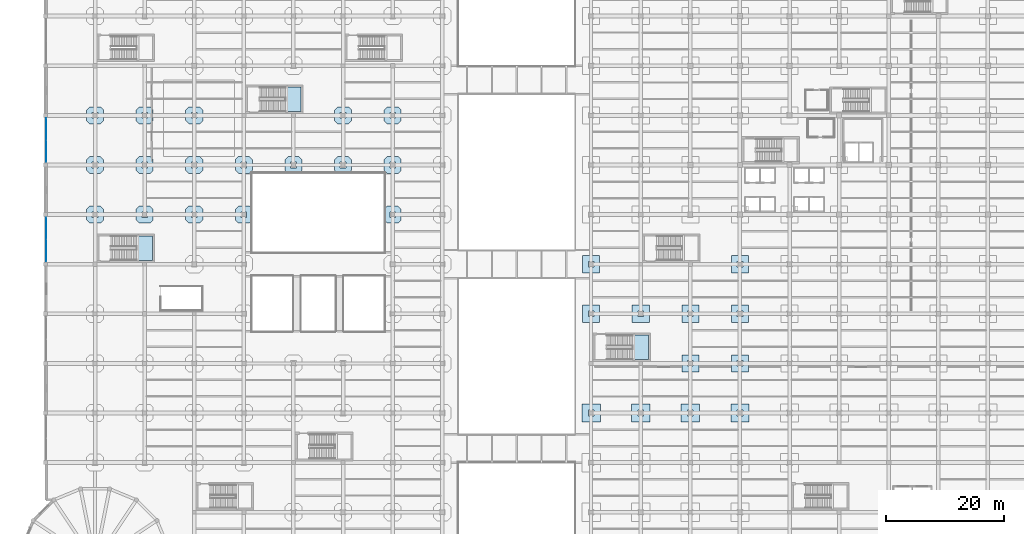
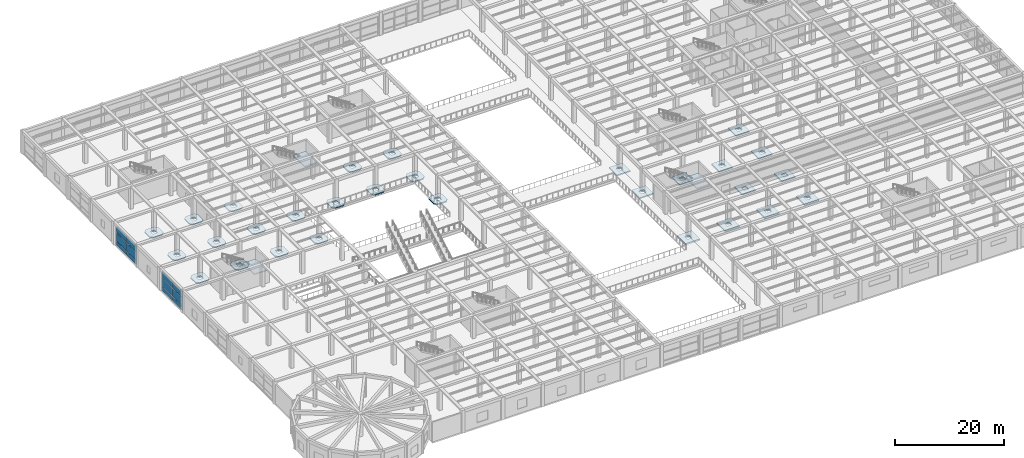
# One storey, part 42 of 65: 32 slabs, 12 plates, 5 elements without a shape of their own.
"""IFC4 building model written with IfcOpenShell, lengths in metres."""

from ifc_helpers import new_model, si_unit, direction, frame, origin, origin_2d, place, context, subcontext, project, spatial, polyline, rectangle, outline, extrude, material, layer, layer_set, type_object, element, aggregate, save


model = new_model("IFC4")

# Units and contexts
model_context = context("Model", 3, precision=1e-05, world=origin(), true_north=direction((0.0, 1.0)))
body_context = subcontext(model_context, "Body", "Model", "MODEL_VIEW")
ifc_project = project(units=[si_unit("LENGTHUNIT", "METRE"), si_unit("AREAUNIT", "SQUARE_METRE"), si_unit("VOLUMEUNIT", "CUBIC_METRE"), si_unit("PLANEANGLEUNIT", "RADIAN"), si_unit("MASSUNIT", "GRAM", prefix="KILO")], contexts=[model_context])

# Site, building, storey
site_placement = place(None, origin())
site = spatial("IfcSite", under=ifc_project, at=site_placement, CompositionType="ELEMENT")
building_placement = place(site_placement, origin())
building = spatial("IfcBuilding", under=site, at=building_placement, Name="Almacenes y Pasaje Nevantli", CompositionType="ELEMENT")
storey_placement = place(building_placement, frame((0.0, 0.0, 16.800048828125)))
storey = spatial("IfcBuildingStorey", under=building, at=storey_placement, Name="L04", CompositionType="ELEMENT", Elevation=16.800048828125)

# Curtain wall, plates
ifc_material_1 = material(Name="Thermally Broken Aluminium and Low-E Glass", Category="aluminium")
curtain_wall_type = type_object("IfcCurtainWallType", Name="CW-UNIT-PODIUM", PredefinedType="USERDEFINED", material=ifc_material_1)
curtain_wall_1_placement = place(storey_placement, origin())
curtain_wall_1 = element("IfcCurtainWall", 1, at=curtain_wall_1_placement, inside=storey, type_object=curtain_wall_type, Name="L04 West Avenue Unitized Curtain Wall Bay 8", ObjectType="UNITIZED CURTAIN WALL", PredefinedType="USERDEFINED")
ifc_material_2 = material(Name="Low-E Double Glazed Insulated Unit", Category="glass")
ifc_layer_1 = layer(ifc_material_2, 0.031982421875)
ifc_layer_set_1 = layer_set([ifc_layer_1], Name="Low-E Double Glazed Insulated Unit")
plate_type = type_object("IfcPlateType", Name="PL-IGU-32", PredefinedType="CURTAIN_PANEL", material=ifc_layer_set_1)
plate_1_placement = place(storey_placement, frame((0.14990234375, 61.138671875, 0.05517578125), z_axis=(0.0, 0.0, 1.0), x_axis=(0.0, 1.0, 0.0)))
plate_1 = element("IfcPlate", 2, at=plate_1_placement, type_object=plate_type, Name="CW-L04-075 panel 1.1", PredefinedType="CURTAIN_PANEL", context=body_context, shape_type="SweptSolid", body=[
    extrude(rectangle(XDim=3.66748046875, YDim=0.031982421875, at=origin_2d()), origin(), (0.0, 0.0, 1.0), 0.867431640625),
])
plate_2_placement = place(storey_placement, frame((0.14990234375, 61.138671875, 0.9775390625), z_axis=(0.0, 0.0, 1.0), x_axis=(0.0, 1.0, 0.0)))
plate_2 = element("IfcPlate", 3, at=plate_2_placement, type_object=plate_type, Name="CW-L04-075 panel 1.2", PredefinedType="CURTAIN_PANEL", context=body_context, shape_type="SweptSolid", body=[
    extrude(rectangle(XDim=3.66748046875, YDim=0.031982421875, at=origin_2d()), origin(), (0.0, 0.0, 1.0), 1.844970703125),
])
plate_3_placement = place(storey_placement, frame((0.14990234375, 61.138671875, 2.87744140625), z_axis=(0.0, 0.0, 1.0), x_axis=(0.0, 1.0, 0.0)))
plate_3 = element("IfcPlate", 4, at=plate_3_placement, type_object=plate_type, Name="CW-L04-075 panel 1.3", PredefinedType="CURTAIN_PANEL", context=body_context, shape_type="SweptSolid", body=[
    extrude(rectangle(XDim=3.66748046875, YDim=0.031982421875, at=origin_2d()), origin(), (0.0, 0.0, 1.0), 1.447509765625),
])
plate_4_placement = place(storey_placement, frame((0.14990234375, 64.861328125, 0.05517578125), z_axis=(0.0, 0.0, 1.0), x_axis=(0.0, 1.0, 0.0)))
plate_4 = element("IfcPlate", 5, at=plate_4_placement, type_object=plate_type, Name="CW-L04-075 panel 2.1", PredefinedType="CURTAIN_PANEL", context=body_context, shape_type="SweptSolid", body=[
    extrude(rectangle(XDim=3.66748046875, YDim=0.031982421875, at=origin_2d()), origin(), (0.0, 0.0, 1.0), 0.867431640625),
])
plate_5_placement = place(storey_placement, frame((0.14990234375, 64.861328125, 0.9775390625), z_axis=(0.0, 0.0, 1.0), x_axis=(0.0, 1.0, 0.0)))
plate_5 = element("IfcPlate", 6, at=plate_5_placement, type_object=plate_type, Name="CW-L04-075 panel 2.2", PredefinedType="CURTAIN_PANEL", context=body_context, shape_type="SweptSolid", body=[
    extrude(rectangle(XDim=3.66748046875, YDim=0.031982421875, at=origin_2d()), origin(), (0.0, 0.0, 1.0), 1.844970703125),
])
plate_6_placement = place(storey_placement, frame((0.14990234375, 64.861328125, 2.87744140625), z_axis=(0.0, 0.0, 1.0), x_axis=(0.0, 1.0, 0.0)))
plate_6 = element("IfcPlate", 7, at=plate_6_placement, type_object=plate_type, Name="CW-L04-075 panel 2.3", PredefinedType="CURTAIN_PANEL", context=body_context, shape_type="SweptSolid", body=[
    extrude(rectangle(XDim=3.66748046875, YDim=0.031982421875, at=origin_2d()), origin(), (0.0, 0.0, 1.0), 1.447509765625),
])
aggregate(curtain_wall_1, [plate_1, plate_2, plate_3, plate_4, plate_5, plate_6])

curtain_wall_2_placement = place(storey_placement, origin())
curtain_wall_2 = element("IfcCurtainWall", 8, at=curtain_wall_2_placement, inside=storey, type_object=curtain_wall_type, Name="L04 West Avenue Unitized Curtain Wall Bay 10", ObjectType="UNITIZED CURTAIN WALL", PredefinedType="USERDEFINED")
plate_7_placement = place(storey_placement, frame((0.14990234375, 77.938720703125, 0.05517578125), z_axis=(0.0, 0.0, 1.0), x_axis=(0.0, 1.0, 0.0)))
plate_7 = element("IfcPlate", 9, at=plate_7_placement, type_object=plate_type, Name="CW-L04-076 panel 1.1", PredefinedType="CURTAIN_PANEL", context=body_context, shape_type="SweptSolid", body=[
    extrude(rectangle(XDim=3.66748046875, YDim=0.031982421875, at=origin_2d()), origin(), (0.0, 0.0, 1.0), 0.867431640625),
])
plate_8_placement = place(storey_placement, frame((0.14990234375, 77.938720703125, 0.9775390625), z_axis=(0.0, 0.0, 1.0), x_axis=(0.0, 1.0, 0.0)))
plate_8 = element("IfcPlate", 10, at=plate_8_placement, type_object=plate_type, Name="CW-L04-076 panel 1.2", PredefinedType="CURTAIN_PANEL", context=body_context, shape_type="SweptSolid", body=[
    extrude(rectangle(XDim=3.66748046875, YDim=0.031982421875, at=origin_2d()), origin(), (0.0, 0.0, 1.0), 1.844970703125),
])
plate_9_placement = place(storey_placement, frame((0.14990234375, 77.938720703125, 2.87744140625), z_axis=(0.0, 0.0, 1.0), x_axis=(0.0, 1.0, 0.0)))
plate_9 = element("IfcPlate", 11, at=plate_9_placement, type_object=plate_type, Name="CW-L04-076 panel 1.3", PredefinedType="CURTAIN_PANEL", context=body_context, shape_type="SweptSolid", body=[
    extrude(rectangle(XDim=3.66748046875, YDim=0.031982421875, at=origin_2d()), origin(), (0.0, 0.0, 1.0), 1.447509765625),
])
plate_10_placement = place(storey_placement, frame((0.14990234375, 81.6611328125, 0.05517578125), z_axis=(0.0, 0.0, 1.0), x_axis=(0.0, 1.0, 0.0)))
plate_10 = element("IfcPlate", 12, at=plate_10_placement, type_object=plate_type, Name="CW-L04-076 panel 2.1", PredefinedType="CURTAIN_PANEL", context=body_context, shape_type="SweptSolid", body=[
    extrude(rectangle(XDim=3.66748046875, YDim=0.031982421875, at=origin_2d()), origin(), (0.0, 0.0, 1.0), 0.867431640625),
])
plate_11_placement = place(storey_placement, frame((0.14990234375, 81.6611328125, 0.9775390625), z_axis=(0.0, 0.0, 1.0), x_axis=(0.0, 1.0, 0.0)))
plate_11 = element("IfcPlate", 13, at=plate_11_placement, type_object=plate_type, Name="CW-L04-076 panel 2.2", PredefinedType="CURTAIN_PANEL", context=body_context, shape_type="SweptSolid", body=[
    extrude(rectangle(XDim=3.66748046875, YDim=0.031982421875, at=origin_2d()), origin(), (0.0, 0.0, 1.0), 1.844970703125),
])
plate_12_placement = place(storey_placement, frame((0.14990234375, 81.6611328125, 2.87744140625), z_axis=(0.0, 0.0, 1.0), x_axis=(0.0, 1.0, 0.0)))
plate_12 = element("IfcPlate", 14, at=plate_12_placement, type_object=plate_type, Name="CW-L04-076 panel 2.3", PredefinedType="CURTAIN_PANEL", context=body_context, shape_type="SweptSolid", body=[
    extrude(rectangle(XDim=3.66748046875, YDim=0.031982421875, at=origin_2d()), origin(), (0.0, 0.0, 1.0), 1.447509765625),
])
aggregate(curtain_wall_2, [plate_7, plate_8, plate_9, plate_10, plate_11, plate_12])

# Slabs
ifc_material_3 = material(Name="Concrete C35/45", Category="concrete")
ifc_layer_2 = layer(ifc_material_3, 0.25)
ifc_layer_set_2 = layer_set([ifc_layer_2], Name="Concrete C35/45")
slab_type_1 = type_object("IfcSlabType", Name="SLB-DP-250", PredefinedType="USERDEFINED", material=ifc_layer_set_2)
slab_1_placement = place(storey_placement, frame((0.0, 0.0, -0.550048828125)))
element("IfcSlab", 15, at=slab_1_placement, inside=storey, type_object=slab_type_1, Name="L04 Punching-Shear Drop Panel DP-02 #754", ObjectType="DROP PANEL", PredefinedType="USERDEFINED", context=body_context, shape_type="SweptSolid", body=[
    extrude(outline(polyline([(7.5, 65.75), (9.300048828125, 65.75), (9.85009765625, 66.300048828125), (9.85009765625, 68.10009765625), (9.300048828125, 68.64990234375), (7.5, 68.64990234375), (6.949951171875, 68.10009765625), (6.949951171875, 66.300048828125), (7.5, 65.75)]), holes=[polyline([(7.919921875, 66.719970703125), (8.8798828125, 66.719970703125), (8.8798828125, 67.679931640625), (7.919921875, 67.679931640625), (7.919921875, 66.719970703125)])]), origin(), (0.0, 0.0, 1.0), 0.25),
])
slab_2_placement = place(storey_placement, frame((0.0, 0.0, -0.550048828125)))
element("IfcSlab", 16, at=slab_2_placement, inside=storey, type_object=slab_type_1, Name="L04 Punching-Shear Drop Panel DP-02 #755", ObjectType="DROP PANEL", PredefinedType="USERDEFINED", context=body_context, shape_type="SweptSolid", body=[
    extrude(outline(polyline([(7.5, 74.14990234375), (9.300048828125, 74.14990234375), (9.85009765625, 74.699951171875), (9.85009765625, 76.5), (9.300048828125, 77.050048828125), (7.5, 77.050048828125), (6.949951171875, 76.5), (6.949951171875, 74.699951171875), (7.5, 74.14990234375)]), holes=[polyline([(7.919921875, 75.1201171875), (8.8798828125, 75.1201171875), (8.8798828125, 76.080078125), (7.919921875, 76.080078125), (7.919921875, 75.1201171875)])]), origin(), (0.0, 0.0, 1.0), 0.25),
])
slab_3_placement = place(storey_placement, frame((0.0, 0.0, -0.550048828125)))
element("IfcSlab", 17, at=slab_3_placement, inside=storey, type_object=slab_type_1, Name="L04 Punching-Shear Drop Panel DP-02 #756", ObjectType="DROP PANEL", PredefinedType="USERDEFINED", context=body_context, shape_type="SweptSolid", body=[
    extrude(outline(polyline([(7.5, 82.550048828125), (9.300048828125, 82.550048828125), (9.85009765625, 83.10009765625), (9.85009765625, 84.89990234375), (9.300048828125, 85.449951171875), (7.5, 85.449951171875), (6.949951171875, 84.89990234375), (6.949951171875, 83.10009765625), (7.5, 82.550048828125)]), holes=[polyline([(7.919921875, 83.52001953125), (8.8798828125, 83.52001953125), (8.8798828125, 84.47998046875), (7.919921875, 84.47998046875), (7.919921875, 83.52001953125)])]), origin(), (0.0, 0.0, 1.0), 0.25),
])
slab_4_placement = place(storey_placement, frame((0.0, 0.0, -0.550048828125)))
element("IfcSlab", 18, at=slab_4_placement, inside=storey, type_object=slab_type_1, Name="L04 Punching-Shear Drop Panel DP-02 #762", ObjectType="DROP PANEL", PredefinedType="USERDEFINED", context=body_context, shape_type="SweptSolid", body=[
    extrude(outline(polyline([(15.89990234375, 65.75), (17.699951171875, 65.75), (18.25, 66.300048828125), (18.25, 68.10009765625), (17.699951171875, 68.64990234375), (15.89990234375, 68.64990234375), (15.35009765625, 68.10009765625), (15.35009765625, 66.300048828125), (15.89990234375, 65.75)]), holes=[polyline([(16.320068359375, 66.719970703125), (17.280029296875, 66.719970703125), (17.280029296875, 67.679931640625), (16.320068359375, 67.679931640625), (16.320068359375, 66.719970703125)])]), origin(), (0.0, 0.0, 1.0), 0.25),
])
slab_5_placement = place(storey_placement, frame((0.0, 0.0, -0.550048828125)))
element("IfcSlab", 19, at=slab_5_placement, inside=storey, type_object=slab_type_1, Name="L04 Punching-Shear Drop Panel DP-02 #763", ObjectType="DROP PANEL", PredefinedType="USERDEFINED", context=body_context, shape_type="SweptSolid", body=[
    extrude(outline(polyline([(15.89990234375, 74.14990234375), (17.699951171875, 74.14990234375), (18.25, 74.699951171875), (18.25, 76.5), (17.699951171875, 77.050048828125), (15.89990234375, 77.050048828125), (15.35009765625, 76.5), (15.35009765625, 74.699951171875), (15.89990234375, 74.14990234375)]), holes=[polyline([(16.320068359375, 75.1201171875), (17.280029296875, 75.1201171875), (17.280029296875, 76.080078125), (16.320068359375, 76.080078125), (16.320068359375, 75.1201171875)])]), origin(), (0.0, 0.0, 1.0), 0.25),
])
slab_6_placement = place(storey_placement, frame((0.0, 0.0, -0.550048828125)))
element("IfcSlab", 20, at=slab_6_placement, inside=storey, type_object=slab_type_1, Name="L04 Punching-Shear Drop Panel DP-02 #764", ObjectType="DROP PANEL", PredefinedType="USERDEFINED", context=body_context, shape_type="SweptSolid", body=[
    extrude(outline(polyline([(15.89990234375, 82.550048828125), (17.699951171875, 82.550048828125), (18.25, 83.10009765625), (18.25, 84.89990234375), (17.699951171875, 85.449951171875), (15.89990234375, 85.449951171875), (15.35009765625, 84.89990234375), (15.35009765625, 83.10009765625), (15.89990234375, 82.550048828125)]), holes=[polyline([(16.320068359375, 83.52001953125), (17.280029296875, 83.52001953125), (17.280029296875, 84.47998046875), (16.320068359375, 84.47998046875), (16.320068359375, 83.52001953125)])]), origin(), (0.0, 0.0, 1.0), 0.25),
])
slab_7_placement = place(storey_placement, frame((0.0, 0.0, -0.550048828125)))
element("IfcSlab", 21, at=slab_7_placement, inside=storey, type_object=slab_type_1, Name="L04 Punching-Shear Drop Panel DP-02 #772", ObjectType="DROP PANEL", PredefinedType="USERDEFINED", context=body_context, shape_type="SweptSolid", body=[
    extrude(outline(polyline([(24.300048828125, 65.75), (26.10009765625, 65.75), (26.64990234375, 66.300048828125), (26.64990234375, 68.10009765625), (26.10009765625, 68.64990234375), (24.300048828125, 68.64990234375), (23.75, 68.10009765625), (23.75, 66.300048828125), (24.300048828125, 65.75)]), holes=[polyline([(24.719970703125, 66.719970703125), (25.679931640625, 66.719970703125), (25.679931640625, 67.679931640625), (24.719970703125, 67.679931640625), (24.719970703125, 66.719970703125)])]), origin(), (0.0, 0.0, 1.0), 0.25),
])
slab_8_placement = place(storey_placement, frame((0.0, 0.0, -0.550048828125)))
element("IfcSlab", 22, at=slab_8_placement, inside=storey, type_object=slab_type_1, Name="L04 Punching-Shear Drop Panel DP-02 #773", ObjectType="DROP PANEL", PredefinedType="USERDEFINED", context=body_context, shape_type="SweptSolid", body=[
    extrude(outline(polyline([(24.300048828125, 74.14990234375), (26.10009765625, 74.14990234375), (26.64990234375, 74.699951171875), (26.64990234375, 76.5), (26.10009765625, 77.050048828125), (24.300048828125, 77.050048828125), (23.75, 76.5), (23.75, 74.699951171875), (24.300048828125, 74.14990234375)]), holes=[polyline([(24.719970703125, 75.1201171875), (25.679931640625, 75.1201171875), (25.679931640625, 76.080078125), (24.719970703125, 76.080078125), (24.719970703125, 75.1201171875)])]), origin(), (0.0, 0.0, 1.0), 0.25),
])
slab_9_placement = place(storey_placement, frame((0.0, 0.0, -0.550048828125)))
element("IfcSlab", 23, at=slab_9_placement, inside=storey, type_object=slab_type_1, Name="L04 Punching-Shear Drop Panel DP-02 #774", ObjectType="DROP PANEL", PredefinedType="USERDEFINED", context=body_context, shape_type="SweptSolid", body=[
    extrude(outline(polyline([(24.300048828125, 82.550048828125), (26.10009765625, 82.550048828125), (26.64990234375, 83.10009765625), (26.64990234375, 84.89990234375), (26.10009765625, 85.449951171875), (24.300048828125, 85.449951171875), (23.75, 84.89990234375), (23.75, 83.10009765625), (24.300048828125, 82.550048828125)]), holes=[polyline([(24.719970703125, 83.52001953125), (25.679931640625, 83.52001953125), (25.679931640625, 84.47998046875), (24.719970703125, 84.47998046875), (24.719970703125, 83.52001953125)])]), origin(), (0.0, 0.0, 1.0), 0.25),
])
slab_10_placement = place(storey_placement, frame((0.0, 0.0, -0.550048828125)))
element("IfcSlab", 24, at=slab_10_placement, inside=storey, type_object=slab_type_1, Name="L04 Punching-Shear Drop Panel DP-02 #784", ObjectType="DROP PANEL", PredefinedType="USERDEFINED", context=body_context, shape_type="SweptSolid", body=[
    extrude(outline(polyline([(32.699951171875, 65.75), (34.5, 65.75), (35.050048828125, 66.300048828125), (35.050048828125, 68.10009765625), (34.5, 68.64990234375), (32.699951171875, 68.64990234375), (32.14990234375, 68.10009765625), (32.14990234375, 66.300048828125), (32.699951171875, 65.75)]), holes=[polyline([(33.1201171875, 66.719970703125), (34.080078125, 66.719970703125), (34.080078125, 67.679931640625), (33.1201171875, 67.679931640625), (33.1201171875, 66.719970703125)])]), origin(), (0.0, 0.0, 1.0), 0.25),
])
slab_11_placement = place(storey_placement, frame((0.0, 0.0, -0.550048828125)))
element("IfcSlab", 25, at=slab_11_placement, inside=storey, type_object=slab_type_1, Name="L04 Punching-Shear Drop Panel DP-02 #785", ObjectType="DROP PANEL", PredefinedType="USERDEFINED", context=body_context, shape_type="SweptSolid", body=[
    extrude(outline(polyline([(32.699951171875, 74.14990234375), (34.5, 74.14990234375), (35.050048828125, 74.699951171875), (35.050048828125, 76.5), (34.5, 77.050048828125), (32.699951171875, 77.050048828125), (32.14990234375, 76.5), (32.14990234375, 74.699951171875), (32.699951171875, 74.14990234375)]), holes=[polyline([(33.1201171875, 75.1201171875), (34.080078125, 75.1201171875), (34.080078125, 76.080078125), (33.1201171875, 76.080078125), (33.1201171875, 75.1201171875)])]), origin(), (0.0, 0.0, 1.0), 0.25),
])
slab_12_placement = place(storey_placement, frame((0.0, 0.0, -0.550048828125)))
element("IfcSlab", 26, at=slab_12_placement, inside=storey, type_object=slab_type_1, Name="L04 Punching-Shear Drop Panel DP-02 #793", ObjectType="DROP PANEL", PredefinedType="USERDEFINED", context=body_context, shape_type="SweptSolid", body=[
    extrude(outline(polyline([(41.10009765625, 74.14990234375), (42.89990234375, 74.14990234375), (43.449951171875, 74.699951171875), (43.449951171875, 76.5), (42.89990234375, 77.050048828125), (41.10009765625, 77.050048828125), (40.550048828125, 76.5), (40.550048828125, 74.699951171875), (41.10009765625, 74.14990234375)]), holes=[polyline([(41.52001953125, 75.1201171875), (42.47998046875, 75.1201171875), (42.47998046875, 76.080078125), (41.52001953125, 76.080078125), (41.52001953125, 75.1201171875)])]), origin(), (0.0, 0.0, 1.0), 0.25),
])
slab_13_placement = place(storey_placement, frame((0.0, 0.0, -0.550048828125)))
element("IfcSlab", 27, at=slab_13_placement, inside=storey, type_object=slab_type_1, Name="L04 Punching-Shear Drop Panel DP-02 #801", ObjectType="DROP PANEL", PredefinedType="USERDEFINED", context=body_context, shape_type="SweptSolid", body=[
    extrude(outline(polyline([(49.5, 74.14990234375), (51.300048828125, 74.14990234375), (51.85009765625, 74.699951171875), (51.85009765625, 76.5), (51.300048828125, 77.050048828125), (49.5, 77.050048828125), (48.949951171875, 76.5), (48.949951171875, 74.699951171875), (49.5, 74.14990234375)]), holes=[polyline([(49.919921875, 75.1201171875), (50.8798828125, 75.1201171875), (50.8798828125, 76.080078125), (49.919921875, 76.080078125), (49.919921875, 75.1201171875)])]), origin(), (0.0, 0.0, 1.0), 0.25),
])
slab_14_placement = place(storey_placement, frame((0.0, 0.0, -0.550048828125)))
element("IfcSlab", 28, at=slab_14_placement, inside=storey, type_object=slab_type_1, Name="L04 Punching-Shear Drop Panel DP-02 #802", ObjectType="DROP PANEL", PredefinedType="USERDEFINED", context=body_context, shape_type="SweptSolid", body=[
    extrude(outline(polyline([(49.5, 82.550048828125), (51.300048828125, 82.550048828125), (51.85009765625, 83.10009765625), (51.85009765625, 84.89990234375), (51.300048828125, 85.449951171875), (49.5, 85.449951171875), (48.949951171875, 84.89990234375), (48.949951171875, 83.10009765625), (49.5, 82.550048828125)]), holes=[polyline([(49.919921875, 83.52001953125), (50.8798828125, 83.52001953125), (50.8798828125, 84.47998046875), (49.919921875, 84.47998046875), (49.919921875, 83.52001953125)])]), origin(), (0.0, 0.0, 1.0), 0.25),
])
slab_15_placement = place(storey_placement, frame((0.0, 0.0, -0.550048828125)))
element("IfcSlab", 29, at=slab_15_placement, inside=storey, type_object=slab_type_1, Name="L04 Punching-Shear Drop Panel DP-02 #812", ObjectType="DROP PANEL", PredefinedType="USERDEFINED", context=body_context, shape_type="SweptSolid", body=[
    extrude(outline(polyline([(57.89990234375, 65.75), (59.699951171875, 65.75), (60.25, 66.300048828125), (60.25, 68.10009765625), (59.699951171875, 68.64990234375), (57.89990234375, 68.64990234375), (57.35009765625, 68.10009765625), (57.35009765625, 66.300048828125), (57.89990234375, 65.75)]), holes=[polyline([(58.320068359375, 66.719970703125), (59.280029296875, 66.719970703125), (59.280029296875, 67.679931640625), (58.320068359375, 67.679931640625), (58.320068359375, 66.719970703125)])]), origin(), (0.0, 0.0, 1.0), 0.25),
])
slab_16_placement = place(storey_placement, frame((0.0, 0.0, -0.550048828125)))
element("IfcSlab", 30, at=slab_16_placement, inside=storey, type_object=slab_type_1, Name="L04 Punching-Shear Drop Panel DP-02 #813", ObjectType="DROP PANEL", PredefinedType="USERDEFINED", context=body_context, shape_type="SweptSolid", body=[
    extrude(outline(polyline([(57.89990234375, 74.14990234375), (59.699951171875, 74.14990234375), (60.25, 74.699951171875), (60.25, 76.5), (59.699951171875, 77.050048828125), (57.89990234375, 77.050048828125), (57.35009765625, 76.5), (57.35009765625, 74.699951171875), (57.89990234375, 74.14990234375)]), holes=[polyline([(58.320068359375, 75.1201171875), (59.280029296875, 75.1201171875), (59.280029296875, 76.080078125), (58.320068359375, 76.080078125), (58.320068359375, 75.1201171875)])]), origin(), (0.0, 0.0, 1.0), 0.25),
])
slab_17_placement = place(storey_placement, frame((0.0, 0.0, -0.550048828125)))
element("IfcSlab", 31, at=slab_17_placement, inside=storey, type_object=slab_type_1, Name="L04 Punching-Shear Drop Panel DP-02 #814", ObjectType="DROP PANEL", PredefinedType="USERDEFINED", context=body_context, shape_type="SweptSolid", body=[
    extrude(outline(polyline([(57.89990234375, 82.550048828125), (59.699951171875, 82.550048828125), (60.25, 83.10009765625), (60.25, 84.89990234375), (59.699951171875, 85.449951171875), (57.89990234375, 85.449951171875), (57.35009765625, 84.89990234375), (57.35009765625, 83.10009765625), (57.89990234375, 82.550048828125)]), holes=[polyline([(58.320068359375, 83.52001953125), (59.280029296875, 83.52001953125), (59.280029296875, 84.47998046875), (58.320068359375, 84.47998046875), (58.320068359375, 83.52001953125)])]), origin(), (0.0, 0.0, 1.0), 0.25),
])
slab_18_placement = place(storey_placement, frame((0.0, 0.0, -0.550048828125)))
element("IfcSlab", 32, at=slab_18_placement, inside=storey, type_object=slab_type_1, Name="L04 Punching-Shear Drop Panel DP-02 #834", ObjectType="DROP PANEL", PredefinedType="USERDEFINED", context=body_context, shape_type="SweptSolid", body=[
    extrude(outline(polyline([(90.949951171875, 48.949951171875), (93.85009765625, 48.949951171875), (93.85009765625, 51.85009765625), (90.949951171875, 51.85009765625), (90.949951171875, 48.949951171875)]), holes=[polyline([(91.919921875, 49.919921875), (92.8798828125, 49.919921875), (92.8798828125, 50.8798828125), (91.919921875, 50.8798828125), (91.919921875, 49.919921875)])]), origin(), (0.0, 0.0, 1.0), 0.25),
])
slab_19_placement = place(storey_placement, frame((0.0, 0.0, -0.550048828125)))
element("IfcSlab", 33, at=slab_19_placement, inside=storey, type_object=slab_type_1, Name="L04 Punching-Shear Drop Panel DP-02 #835", ObjectType="DROP PANEL", PredefinedType="USERDEFINED", context=body_context, shape_type="SweptSolid", body=[
    extrude(outline(polyline([(90.949951171875, 57.35009765625), (93.85009765625, 57.35009765625), (93.85009765625, 60.25), (90.949951171875, 60.25), (90.949951171875, 57.35009765625)]), holes=[polyline([(91.919921875, 58.320068359375), (92.8798828125, 58.320068359375), (92.8798828125, 59.280029296875), (91.919921875, 59.280029296875), (91.919921875, 58.320068359375)])]), origin(), (0.0, 0.0, 1.0), 0.25),
])
slab_20_placement = place(storey_placement, frame((0.0, 0.0, -0.550048828125)))
element("IfcSlab", 34, at=slab_20_placement, inside=storey, type_object=slab_type_1, Name="L04 Punching-Shear Drop Panel DP-02 #846", ObjectType="DROP PANEL", PredefinedType="USERDEFINED", context=body_context, shape_type="SweptSolid", body=[
    extrude(outline(polyline([(99.35009765625, 48.949951171875), (102.25, 48.949951171875), (102.25, 51.85009765625), (99.35009765625, 51.85009765625), (99.35009765625, 48.949951171875)]), holes=[polyline([(100.320068359375, 49.919921875), (101.280029296875, 49.919921875), (101.280029296875, 50.8798828125), (100.320068359375, 50.8798828125), (100.320068359375, 49.919921875)])]), origin(), (0.0, 0.0, 1.0), 0.25),
])
slab_21_placement = place(storey_placement, frame((0.0, 0.0, -0.550048828125)))
element("IfcSlab", 35, at=slab_21_placement, inside=storey, type_object=slab_type_1, Name="L04 Punching-Shear Drop Panel DP-02 #857", ObjectType="DROP PANEL", PredefinedType="USERDEFINED", context=body_context, shape_type="SweptSolid", body=[
    extrude(outline(polyline([(107.75, 40.550048828125), (110.64990234375, 40.550048828125), (110.64990234375, 43.449951171875), (107.75, 43.449951171875), (107.75, 40.550048828125)]), holes=[polyline([(108.719970703125, 41.52001953125), (109.679931640625, 41.52001953125), (109.679931640625, 42.47998046875), (108.719970703125, 42.47998046875), (108.719970703125, 41.52001953125)])]), origin(), (0.0, 0.0, 1.0), 0.25),
])
slab_22_placement = place(storey_placement, frame((0.0, 0.0, -0.550048828125)))
element("IfcSlab", 36, at=slab_22_placement, inside=storey, type_object=slab_type_1, Name="L04 Punching-Shear Drop Panel DP-02 #858", ObjectType="DROP PANEL", PredefinedType="USERDEFINED", context=body_context, shape_type="SweptSolid", body=[
    extrude(outline(polyline([(107.75, 48.949951171875), (110.64990234375, 48.949951171875), (110.64990234375, 51.85009765625), (107.75, 51.85009765625), (107.75, 48.949951171875)]), holes=[polyline([(108.719970703125, 49.919921875), (109.679931640625, 49.919921875), (109.679931640625, 50.8798828125), (108.719970703125, 50.8798828125), (108.719970703125, 49.919921875)])]), origin(), (0.0, 0.0, 1.0), 0.25),
])
slab_23_placement = place(storey_placement, frame((0.0, 0.0, -0.550048828125)))
element("IfcSlab", 37, at=slab_23_placement, inside=storey, type_object=slab_type_1, Name="L04 Punching-Shear Drop Panel DP-02 #869", ObjectType="DROP PANEL", PredefinedType="USERDEFINED", context=body_context, shape_type="SweptSolid", body=[
    extrude(outline(polyline([(116.14990234375, 40.550048828125), (119.050048828125, 40.550048828125), (119.050048828125, 43.449951171875), (116.14990234375, 43.449951171875), (116.14990234375, 40.550048828125)]), holes=[polyline([(117.1201171875, 41.52001953125), (118.080078125, 41.52001953125), (118.080078125, 42.47998046875), (117.1201171875, 42.47998046875), (117.1201171875, 41.52001953125)])]), origin(), (0.0, 0.0, 1.0), 0.25),
])
slab_24_placement = place(storey_placement, frame((0.0, 0.0, -0.550048828125)))
element("IfcSlab", 38, at=slab_24_placement, inside=storey, type_object=slab_type_1, Name="L04 Punching-Shear Drop Panel DP-02 #870", ObjectType="DROP PANEL", PredefinedType="USERDEFINED", context=body_context, shape_type="SweptSolid", body=[
    extrude(outline(polyline([(116.14990234375, 48.949951171875), (119.050048828125, 48.949951171875), (119.050048828125, 51.85009765625), (116.14990234375, 51.85009765625), (116.14990234375, 48.949951171875)]), holes=[polyline([(117.1201171875, 49.919921875), (118.080078125, 49.919921875), (118.080078125, 50.8798828125), (117.1201171875, 50.8798828125), (117.1201171875, 49.919921875)])]), origin(), (0.0, 0.0, 1.0), 0.25),
])
slab_25_placement = place(storey_placement, frame((0.0, 0.0, -0.550048828125)))
element("IfcSlab", 39, at=slab_25_placement, inside=storey, type_object=slab_type_1, Name="L04 Punching-Shear Drop Panel DP-02 #871", ObjectType="DROP PANEL", PredefinedType="USERDEFINED", context=body_context, shape_type="SweptSolid", body=[
    extrude(outline(polyline([(116.14990234375, 57.35009765625), (119.050048828125, 57.35009765625), (119.050048828125, 60.25), (116.14990234375, 60.25), (116.14990234375, 57.35009765625)]), holes=[polyline([(117.1201171875, 58.320068359375), (118.080078125, 58.320068359375), (118.080078125, 59.280029296875), (117.1201171875, 59.280029296875), (117.1201171875, 58.320068359375)])]), origin(), (0.0, 0.0, 1.0), 0.25),
])
ifc_material_4 = material(Name="Concrete C35/45", Category="concrete")
ifc_layer_3 = layer(ifc_material_4, 0.31005859375)
ifc_layer_set_3 = layer_set([ifc_layer_3], Name="Concrete C35/45")
slab_type_2 = type_object("IfcSlabType", Name="SLB-DP-310", PredefinedType="USERDEFINED", material=ifc_layer_set_3)
slab_26_placement = place(storey_placement, frame((0.0, 0.0, -0.610107421875)))
element("IfcSlab", 40, at=slab_26_placement, inside=storey, type_object=slab_type_2, Name="L04 Punching-Shear Drop Panel DP-03 #833", ObjectType="DROP PANEL", PredefinedType="USERDEFINED", context=body_context, shape_type="SweptSolid", body=[
    extrude(outline(polyline([(90.85009765625, 32.050048828125), (93.949951171875, 32.050048828125), (93.949951171875, 35.14990234375), (90.85009765625, 35.14990234375), (90.85009765625, 32.050048828125)]), holes=[polyline([(91.919921875, 33.1201171875), (92.8798828125, 33.1201171875), (92.8798828125, 34.080078125), (91.919921875, 34.080078125), (91.919921875, 33.1201171875)])]), origin(), (0.0, 0.0, 1.0), 0.31005859375),
])
slab_27_placement = place(storey_placement, frame((0.0, 0.0, -0.610107421875)))
element("IfcSlab", 41, at=slab_27_placement, inside=storey, type_object=slab_type_2, Name="L04 Punching-Shear Drop Panel DP-03 #845", ObjectType="DROP PANEL", PredefinedType="USERDEFINED", context=body_context, shape_type="SweptSolid", body=[
    extrude(outline(polyline([(99.25, 32.050048828125), (102.35009765625, 32.050048828125), (102.35009765625, 35.14990234375), (99.25, 35.14990234375), (99.25, 32.050048828125)]), holes=[polyline([(100.320068359375, 33.1201171875), (101.280029296875, 33.1201171875), (101.280029296875, 34.080078125), (100.320068359375, 34.080078125), (100.320068359375, 33.1201171875)])]), origin(), (0.0, 0.0, 1.0), 0.31005859375),
])
slab_28_placement = place(storey_placement, frame((0.0, 0.0, -0.610107421875)))
element("IfcSlab", 42, at=slab_28_placement, inside=storey, type_object=slab_type_2, Name="L04 Punching-Shear Drop Panel DP-03 #856", ObjectType="DROP PANEL", PredefinedType="USERDEFINED", context=body_context, shape_type="SweptSolid", body=[
    extrude(outline(polyline([(107.64990234375, 32.050048828125), (110.75, 32.050048828125), (110.75, 35.14990234375), (107.64990234375, 35.14990234375), (107.64990234375, 32.050048828125)]), holes=[polyline([(108.719970703125, 33.1201171875), (109.679931640625, 33.1201171875), (109.679931640625, 34.080078125), (108.719970703125, 34.080078125), (108.719970703125, 33.1201171875)])]), origin(), (0.0, 0.0, 1.0), 0.31005859375),
])
slab_29_placement = place(storey_placement, frame((0.0, 0.0, -0.610107421875)))
element("IfcSlab", 43, at=slab_29_placement, inside=storey, type_object=slab_type_2, Name="L04 Punching-Shear Drop Panel DP-03 #868", ObjectType="DROP PANEL", PredefinedType="USERDEFINED", context=body_context, shape_type="SweptSolid", body=[
    extrude(outline(polyline([(116.050048828125, 32.050048828125), (119.14990234375, 32.050048828125), (119.14990234375, 35.14990234375), (116.050048828125, 35.14990234375), (116.050048828125, 32.050048828125)]), holes=[polyline([(117.1201171875, 33.1201171875), (118.080078125, 33.1201171875), (118.080078125, 34.080078125), (117.1201171875, 34.080078125), (117.1201171875, 33.1201171875)])]), origin(), (0.0, 0.0, 1.0), 0.31005859375),
])

# Stair, slab
ifc_material_5 = material(Name="Concrete C35/45", Category="concrete")
stair_type = type_object("IfcStairType", Name="STR-CORE-1850", PredefinedType="HALF_TURN_STAIR", material=ifc_material_5)
stair_1_placement = place(storey_placement, origin())
stair_1 = element("IfcStair", 44, at=stair_1_placement, inside=storey, type_object=stair_type, Name="L04 Staircase ST-08", PredefinedType="HALF_TURN_STAIR")
ifc_material_6 = material(Name="Concrete C35/45", Category="concrete")
ifc_layer_4 = layer(ifc_material_6, 0.199951171875)
ifc_layer_set_4 = layer_set([ifc_layer_4], Name="Concrete C35/45")
slab_type_3 = type_object("IfcSlabType", Name="SLB-LAND-200", PredefinedType="LANDING", material=ifc_layer_set_4)
slab_30_placement = place(storey_placement, frame((0.0, 0.0, 2.5)))
slab_30 = element("IfcSlab", 45, at=slab_30_placement, type_object=slab_type_3, Name="ST-08-L04 landing 1", PredefinedType="LANDING", context=body_context, shape_type="SweptSolid", body=[
    extrude(outline(polyline([(99.43505859375, 42.64990234375), (102.10009765625, 42.64990234375), (102.10009765625, 46.800048828125), (99.43505859375, 46.800048828125), (99.43505859375, 42.64990234375)])), origin(), (0.0, 0.0, 1.0), 0.199951171875),
])
aggregate(stair_1, [slab_30])

stair_2_placement = place(storey_placement, origin())
stair_2 = element("IfcStair", 46, at=stair_2_placement, inside=storey, type_object=stair_type, Name="L04 Staircase ST-12", PredefinedType="HALF_TURN_STAIR")
slab_31_placement = place(storey_placement, frame((0.0, 0.0, 2.5)))
slab_31 = element("IfcSlab", 47, at=slab_31_placement, type_object=slab_type_3, Name="ST-12-L04 landing 1", PredefinedType="LANDING", context=body_context, shape_type="SweptSolid", body=[
    extrude(outline(polyline([(15.43505859375, 59.449951171875), (18.10009765625, 59.449951171875), (18.10009765625, 63.60009765625), (15.43505859375, 63.60009765625), (15.43505859375, 59.449951171875)])), origin(), (0.0, 0.0, 1.0), 0.199951171875),
])
aggregate(stair_2, [slab_31])

stair_3_placement = place(storey_placement, origin())
stair_3 = element("IfcStair", 48, at=stair_3_placement, inside=storey, type_object=stair_type, Name="L04 Staircase ST-15", PredefinedType="HALF_TURN_STAIR")
slab_32_placement = place(storey_placement, frame((0.0, 0.0, 2.5)))
slab_32 = element("IfcSlab", 49, at=slab_32_placement, type_object=slab_type_3, Name="ST-15-L04 landing 1", PredefinedType="LANDING", context=body_context, shape_type="SweptSolid", body=[
    extrude(outline(polyline([(40.635009765625, 84.64990234375), (43.300048828125, 84.64990234375), (43.300048828125, 88.800048828125), (40.635009765625, 88.800048828125), (40.635009765625, 84.64990234375)])), origin(), (0.0, 0.0, 1.0), 0.199951171875),
])
aggregate(stair_3, [slab_32])

save(model, "model.ifc")
